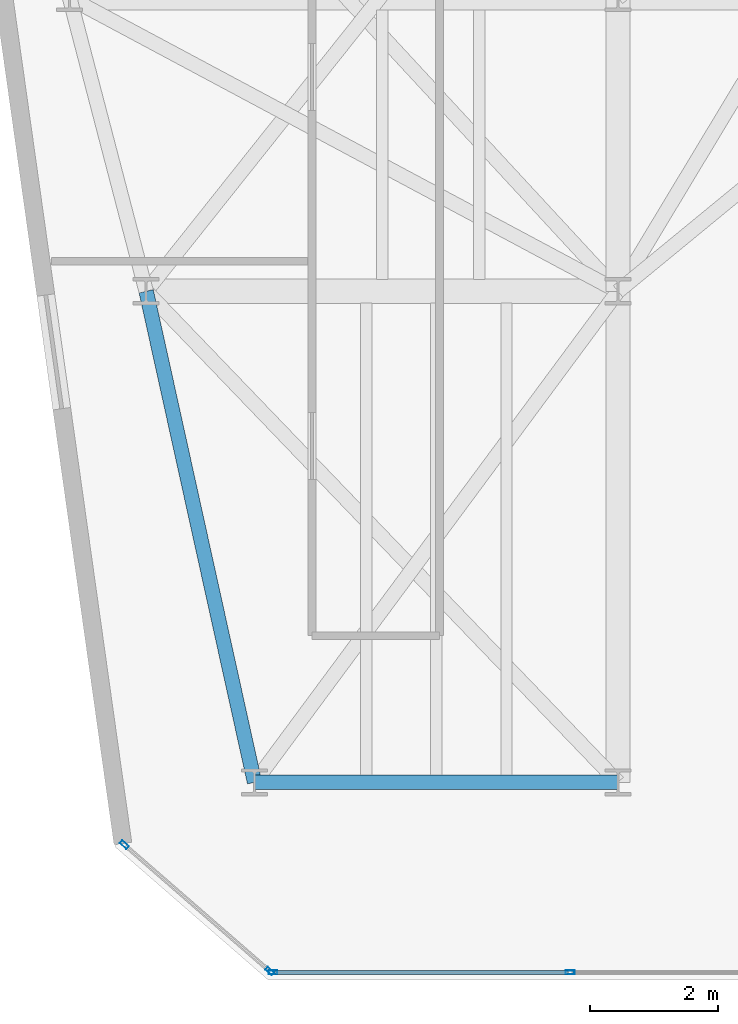
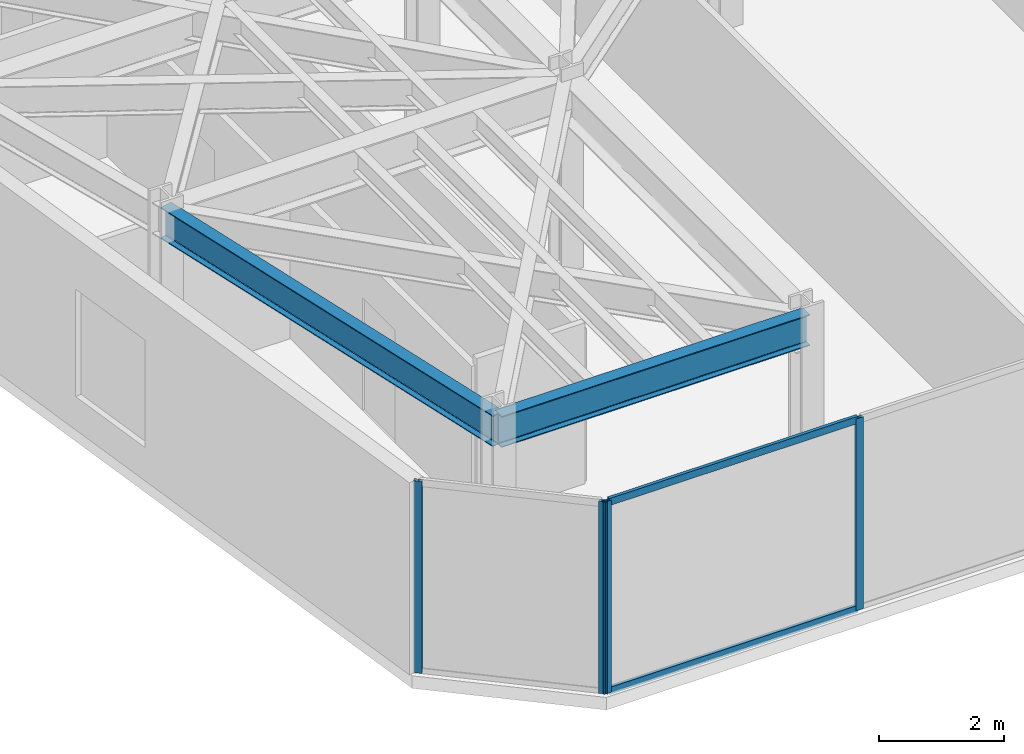
# One storey, part 2 of 21: 6 members, 2 beams, 2 elements without a shape of their own.
"""IFC4 building model written with IfcOpenShell, lengths in metres."""

import ifcopenshell
import ifcopenshell.guid

model = None  # the IFC model being written
_history = None  # IfcOwnerHistory: only IFC2X3 demands one
_inside = {}  # id of a spatial element -> (the spatial element, [elements in it])
_under = {}  # id of a project, library or spatial element -> (it, [spatial elements below it])
_declared = {}  # id of a project -> (the project, [libraries it declares])
_typed = {}  # id of a type object -> (the type object, [elements of that type])
_made_of = {}  # id of a material, layer set ... -> (it, [elements and type objects made of it])


def new_model(schema):
    """Start an empty IFC model of exactly this schema.

    Asked for "IFC4X3", IfcOpenShell would pick the latest addendum, in which some entities
    have other attributes; the version numbers below select the first issue.
    IFC2X3 requires an IfcOwnerHistory on every rooted entity: one is made here for all.
    """
    global model, _history
    if schema == "IFC4X3":
        model = ifcopenshell.file(schema_version=(4, 3, 0, 0))
    else:
        model = ifcopenshell.file(schema=schema)
    _inside.clear()
    _under.clear()
    _declared.clear()
    _typed.clear()
    _made_of.clear()
    _history = None
    if model.schema == "IFC2X3":
        org = make("IfcOrganization", Name="unknown")
        user = make(
            "IfcPersonAndOrganization",
            ThePerson=make("IfcPerson", FamilyName="unknown"),
            TheOrganization=org,
        )
        app = make(
            "IfcApplication",
            ApplicationDeveloper=org,
            Version="unknown",
            ApplicationFullName="unknown",
            ApplicationIdentifier="unknown",
        )
        _history = make(
            "IfcOwnerHistory",
            OwningUser=user,
            OwningApplication=app,
            ChangeAction="ADDED",
            CreationDate=0,
        )
    return model


def make(cls, **values):
    """One entity of the class cls with the attributes given. An attribute that is None is left unset."""
    return model.create_entity(
        cls, **{name: value for name, value in values.items() if value is not None}
    )


def rooted(cls, **values):
    """An entity with a GlobalId (a new one), such as an element, a storey or a relation."""
    return make(cls, GlobalId=ifcopenshell.guid.new(), OwnerHistory=_history, **values)


def si_unit(unit_type, name, prefix=None):
    """IfcSIUnit, for example si_unit("LENGTHUNIT", "METRE", prefix="MILLI")."""
    return make("IfcSIUnit", UnitType=unit_type, Prefix=prefix, Name=name)


def assignment(units):
    """IfcUnitAssignment: the units of a project."""
    return None if units is None else make("IfcUnitAssignment", Units=units)


def point(xyz):
    """IfcCartesianPoint."""
    return None if xyz is None else make("IfcCartesianPoint", Coordinates=xyz)


def direction(xyz):
    """IfcDirection."""
    return None if xyz is None else make("IfcDirection", DirectionRatios=xyz)


def frame(location, z_axis=None, x_axis=None):
    """IfcAxis2Placement3D, a coordinate frame: its origin and axes. An axis left out is left unset."""
    return make(
        "IfcAxis2Placement3D",
        Location=point(location),
        Axis=direction(z_axis),
        RefDirection=direction(x_axis),
    )


def frame_2d(location, x_axis=None):
    """IfcAxis2Placement2D, a coordinate frame in the plane: its origin and x axis."""
    return make(
        "IfcAxis2Placement2D", Location=point(location), RefDirection=direction(x_axis)
    )


def origin():
    """The frame at (0, 0, 0) with its axes left unset."""
    return frame((0.0, 0.0, 0.0))


def origin_2d():
    """The frame at (0, 0) in the plane with its x axis left unset."""
    return frame_2d((0.0, 0.0))


def place(relative_to, where):
    """IfcLocalPlacement: puts the frame where relative to a parent placement (None: the world)."""
    return make(
        "IfcLocalPlacement", PlacementRelTo=relative_to, RelativePlacement=where
    )


def context(
    kind, dimensions, precision=None, world=None, true_north=None, identifier=None
):
    """IfcGeometricRepresentationContext, for example the 3D "Model" context."""
    return make(
        "IfcGeometricRepresentationContext",
        ContextIdentifier=identifier,
        ContextType=kind,
        CoordinateSpaceDimension=dimensions,
        Precision=precision,
        WorldCoordinateSystem=world,
        TrueNorth=true_north,
    )


def subcontext(parent, identifier, kind, view, scale=None):
    """IfcGeometricRepresentationSubContext, for example "Body" below "Model"."""
    return make(
        "IfcGeometricRepresentationSubContext",
        ContextIdentifier=identifier,
        ContextType=kind,
        ParentContext=parent,
        TargetScale=scale,
        TargetView=view,
    )


def project(units=None, contexts=None):
    """IfcProject with its units and contexts."""
    return rooted(
        "IfcProject",
        Name="project",
        RepresentationContexts=contexts,
        UnitsInContext=assignment(units),
    )


def spatial(cls, under=None, at=None, **own):
    """A site, building, storey or space (cls), placed at a placement, below another one or the project."""
    s = rooted(cls, ObjectPlacement=at, **own)
    if under is not None:
        _under.setdefault(under.id(), (under, []))[1].append(s)
    return s


def profile(cls, at=None, kind="AREA", **sizes):
    """A parametric profile (cls). Its sizes go by their IFC names, for example OverallWidth=200.0."""
    return make(cls, ProfileType=kind, Position=at, **sizes)


def hollow_rectangle(**sizes):
    """IfcRectangleHollowProfileDef."""
    return profile("IfcRectangleHollowProfileDef", **sizes)


def i_section(**sizes):
    """IfcIShapeProfileDef."""
    return profile("IfcIShapeProfileDef", **sizes)


def extrude(swept, where, along, depth):
    """IfcExtrudedAreaSolid: the profile swept, set in the frame where, extruded along a direction by depth."""
    return make(
        "IfcExtrudedAreaSolid",
        SweptArea=swept,
        Position=where,
        ExtrudedDirection=direction(along),
        Depth=depth,
    )


def shape(context_of_items, identifier, shape_type, items):
    """IfcShapeRepresentation: the items that make up one representation, for example the "Body"."""
    return make(
        "IfcShapeRepresentation",
        ContextOfItems=context_of_items,
        RepresentationIdentifier=identifier,
        RepresentationType=shape_type,
        Items=items,
    )


def material(Name=None, Category=None):
    """IfcMaterial."""
    return make("IfcMaterial", Name=Name, Category=Category)


def layer(
    of_material, thickness, ventilated=None, Name=None, Category=None, Priority=None
):
    """IfcMaterialLayer: one layer of a wall or slab, of a material (None: an air gap)."""
    return make(
        "IfcMaterialLayer",
        Material=of_material,
        LayerThickness=thickness,
        IsVentilated=ventilated,
        Name=Name,
        Category=Category,
        Priority=Priority,
    )


def layer_set(layers, Name=None):
    """IfcMaterialLayerSet."""
    return make("IfcMaterialLayerSet", MaterialLayers=layers, LayerSetName=Name)


def material_profile(
    of_material, cross_section, Name=None, Category=None, Priority=None
):
    """IfcMaterialProfile: a cross section and its material."""
    return make(
        "IfcMaterialProfile",
        Name=Name,
        Material=of_material,
        Profile=cross_section,
        Priority=Priority,
        Category=Category,
    )


def profile_set(profiles, Name=None, composite=None):
    """IfcMaterialProfileSet."""
    return make(
        "IfcMaterialProfileSet",
        Name=Name,
        MaterialProfiles=profiles,
        CompositeProfile=composite,
    )


def made_of(thing, what):
    """Note that an element or type object is made of a material, layer set ...; save() writes the relation."""
    if what is not None:
        _made_of.setdefault(what.id(), (what, []))[1].append(thing)
    return thing


def type_object(cls, material=None, **own):
    """A type object (cls), such as IfcWallType, which elements share."""
    return made_of(rooted(cls, **own), material)


def element(
    cls,
    number,
    at=None,
    inside=None,
    cuts=None,
    type_object=None,
    material=None,
    context=None,
    identifier="Body",
    shape_type=None,
    held_by="IfcProductDefinitionShape",
    body=None,
    shapes=None,
    **own,
):
    """One element of the class cls, such as IfcWall. Its Tag is "e" and its number.

    at: its placement. inside: the storey or other place that contains it. cuts: it is an
    opening in that element (IfcRelVoidsElement). A single representation is given by context,
    identifier, shape_type and body (its items); several are given by shapes. held_by: the class
    of the entity that holds the representations. save() writes the other relations.
    """
    e = rooted(cls, Tag="e%d" % number, ObjectPlacement=at, **own)
    if body is not None:
        shapes = [shape(context, identifier, shape_type, body)]
    if shapes is not None:
        e.Representation = make(held_by, Representations=shapes)
    if inside is not None:
        _inside.setdefault(inside.id(), (inside, []))[1].append(e)
    if cuts is not None:
        rooted(
            "IfcRelVoidsElement", RelatingBuildingElement=cuts, RelatedOpeningElement=e
        )
    if type_object is not None:
        _typed.setdefault(type_object.id(), (type_object, []))[1].append(e)
    return made_of(e, material)


def aggregate(whole, parts):
    """IfcRelAggregates: a whole, such as a stair, and the parts it consists of."""
    return rooted("IfcRelAggregates", RelatingObject=whole, RelatedObjects=parts)


def save(model, path):
    """Write the relations noted so far, then the file.

    IfcRelAggregates (storeys below a building ...), IfcRelContainedInSpatialStructure (elements
    in a storey), IfcRelDefinesByType, IfcRelAssociatesMaterial and IfcRelDeclares: one each for
    every whole, place, type object, material and project.
    """
    for whole, parts in _under.values():
        aggregate(whole, parts)
    for where, things in _inside.values():
        rooted(
            "IfcRelContainedInSpatialStructure",
            RelatedElements=things,
            RelatingStructure=where,
        )
    for kind, things in _typed.values():
        rooted("IfcRelDefinesByType", RelatedObjects=things, RelatingType=kind)
    for what, things in _made_of.values():
        rooted("IfcRelAssociatesMaterial", RelatedObjects=things, RelatingMaterial=what)
    for by, libraries in _declared.values():
        rooted("IfcRelDeclares", RelatingContext=by, RelatedDefinitions=libraries)
    model.write(path)


model = new_model("IFC4")

# Units and contexts
model_context = context("Model", 3, precision=1e-05, world=origin(), true_north=direction((0.0, 1.0)))
body_context = subcontext(model_context, "Body", "Model", "MODEL_VIEW")
ifc_project = project(units=[si_unit("LENGTHUNIT", "METRE"), si_unit("AREAUNIT", "SQUARE_METRE"), si_unit("VOLUMEUNIT", "CUBIC_METRE"), si_unit("PLANEANGLEUNIT", "RADIAN"), si_unit("MASSUNIT", "GRAM", prefix="KILO")], contexts=[model_context])

# Site, building, storey
site_placement = place(None, origin())
site = spatial("IfcSite", under=ifc_project, at=site_placement, CompositionType="ELEMENT")
building_placement = place(site_placement, origin())
building = spatial("IfcBuilding", under=site, at=building_placement, Name="Kravanh Interchange Tower", CompositionType="ELEMENT")
storey_placement = place(building_placement, frame((0.0, 0.0, 192.5)))
storey = spatial("IfcBuildingStorey", under=building, at=storey_placement, Name="L46", CompositionType="ELEMENT", Elevation=192.5)

# Curtain wall, members
ifc_material_1 = material(Name="Anodised Bronze Aluminium", Category="aluminium")
ifc_layer = layer(ifc_material_1, 0.179931640625)
ifc_layer_set = layer_set([ifc_layer], Name="Unitised Curtain Wall System CW-Z3 Upper Office")
curtain_wall_type = type_object("IfcCurtainWallType", Name="Unitised Curtain Wall System CW-Z3 Upper Office", PredefinedType="NOTDEFINED", material=ifc_layer_set)
curtain_wall_1_placement = place(storey_placement, origin())
curtain_wall_1 = element("IfcCurtainWall", 1, at=curtain_wall_1_placement, inside=storey, type_object=curtain_wall_type, Name="L46 Unitised Curtain Wall CW-L46-05", PredefinedType="NOTDEFINED")
ifc_material_2 = material(Name="Anodised Bronze Aluminium", Category="aluminium")
ifc_material_profile_1 = material_profile(ifc_material_2, hollow_rectangle(XDim=0.06005859375, YDim=0.139892578125, WallThickness=0.00390625, at=origin_2d()), Name="ALU60X140X4")
ifc_profile_set_1 = profile_set([ifc_material_profile_1], Name="Anodised Bronze Aluminium")
member_type_1 = type_object("IfcMemberType", Name="Curtain Wall Mullion ALU60X140X4 Bronze", PredefinedType="MULLION", material=ifc_profile_set_1)
member_1_placement = place(storey_placement, frame((26.447998046875, 11.52001953125, 0.0), z_axis=(0.0, 0.0, 1.0), x_axis=(0.0, -1.0, 0.0)))
member_1 = element("IfcMember", 2, at=member_1_placement, type_object=member_type_1, Name="CW-Z3 mullion 2", PredefinedType="MULLION", context=body_context, shape_type="SweptSolid", body=[
    extrude(hollow_rectangle(XDim=0.06005859375, YDim=0.139892578125, WallThickness=0.00390625, at=origin_2d()), origin(), (0.0, 0.0, 1.0), 3.7548828125),
])
member_2_placement = place(storey_placement, frame((21.7890625, 11.52001953125, 0.0), z_axis=(0.0, 0.0, 1.0), x_axis=(0.0, -1.0, 0.0)))
member_2 = element("IfcMember", 3, at=member_2_placement, type_object=member_type_1, Name="CW-Z3 mullion 3", PredefinedType="MULLION", context=body_context, shape_type="SweptSolid", body=[
    extrude(hollow_rectangle(XDim=0.06005859375, YDim=0.139892578125, WallThickness=0.00390625, at=origin_2d()), origin(), (0.0, 0.0, 1.0), 3.7548828125),
])

curtain_wall_2_placement = place(storey_placement, origin())
curtain_wall_2 = element("IfcCurtainWall", 4, at=curtain_wall_2_placement, inside=storey, type_object=curtain_wall_type, Name="L46 Unitised Curtain Wall CW-L46-06", PredefinedType="NOTDEFINED")
member_3_placement = place(storey_placement, frame((21.736328125, 11.539794921875, 0.0), z_axis=(0.0, 0.0, 1.0), x_axis=(-0.65605090137, -0.754716645379, 0.0)))
member_3 = element("IfcMember", 5, at=member_3_placement, type_object=member_type_1, Name="CW-Z3 mullion 1", PredefinedType="MULLION", context=body_context, shape_type="SweptSolid", body=[
    extrude(hollow_rectangle(XDim=0.06005859375, YDim=0.139892578125, WallThickness=0.00390625, at=origin_2d()), origin(), (0.0, 0.0, 1.0), 3.7548828125),
])
member_4_placement = place(storey_placement, frame((19.45703125, 13.52099609375, 0.0), z_axis=(0.0, 0.0, 1.0), x_axis=(-0.65605090137, -0.754716645379, 0.0)))
member_4 = element("IfcMember", 6, at=member_4_placement, type_object=member_type_1, Name="CW-Z3 mullion 2", PredefinedType="MULLION", context=body_context, shape_type="SweptSolid", body=[
    extrude(hollow_rectangle(XDim=0.06005859375, YDim=0.139892578125, WallThickness=0.00390625, at=origin_2d()), origin(), (0.0, 0.0, 1.0), 3.7548828125),
])
aggregate(curtain_wall_2, [member_3, member_4])

# Member
ifc_material_3 = material(Name="Anodised Bronze Aluminium", Category="aluminium")
ifc_material_profile_2 = material_profile(ifc_material_3, hollow_rectangle(XDim=0.06005859375, YDim=0.139892578125, WallThickness=0.00390625, at=origin_2d()), Name="ALU60X140X4")
ifc_profile_set_2 = profile_set([ifc_material_profile_2], Name="Anodised Bronze Aluminium")
member_type_2 = type_object("IfcMemberType", Name="Curtain Wall Transom ALU60X140X4 Bronze", PredefinedType="USERDEFINED", material=ifc_profile_set_2)
member_5_placement = place(storey_placement, frame((26.41796875, 11.52001953125, 0.030029296875), z_axis=(-1.0, 0.0, 0.0), x_axis=(0.0, -1.0, 0.0)))
member_5 = element("IfcMember", 7, at=member_5_placement, type_object=member_type_2, Name="CW-Z3 transom 2.1", ObjectType="TRANSOM", PredefinedType="USERDEFINED", context=body_context, shape_type="SweptSolid", body=[
    extrude(hollow_rectangle(XDim=0.06005859375, YDim=0.139892578125, WallThickness=0.00390625, at=origin_2d()), origin(), (0.0, 0.0, 1.0), 4.598876953125),
])

member_6_placement = place(storey_placement, frame((26.41796875, 11.52001953125, 3.72509765625), z_axis=(-1.0, 0.0, 0.0), x_axis=(0.0, -1.0, 0.0)))
member_6 = element("IfcMember", 8, at=member_6_placement, type_object=member_type_2, Name="CW-Z3 transom 2.2", ObjectType="TRANSOM", PredefinedType="USERDEFINED", context=body_context, shape_type="SweptSolid", body=[
    extrude(hollow_rectangle(XDim=0.06005859375, YDim=0.139892578125, WallThickness=0.00390625, at=origin_2d()), origin(), (0.0, 0.0, 1.0), 4.598876953125),
])

aggregate(curtain_wall_1, [member_1, member_2, member_5, member_6])

# Beams
ifc_material_4 = material(Name="Structural Steel S355", Category="steel")
ifc_material_profile_3 = material_profile(ifc_material_4, i_section(OverallWidth=0.22802734375, OverallDepth=0.60791015625, WebThickness=0.01123046875, FlangeThickness=0.017333984375, FilletRadius=0.02197265625, at=origin_2d()), Name="W24X76")
ifc_profile_set_3 = profile_set([ifc_material_profile_3], Name="Structural Steel S355")
beam_type = type_object("IfcBeamType", Name="Floor Spandrel W24X76 Structural Steel S355", PredefinedType="SPANDREL", material=ifc_profile_set_3)
beam_1_placement = place(storey_placement, frame((21.5, 14.5, 3.450927734375), z_axis=(1.0, 0.0, 0.0), x_axis=(0.0, 1.0, 0.0)))
element("IfcBeam", 9, at=beam_1_placement, inside=storey, type_object=beam_type, Name="L46 Perimeter Spandrel 30", PredefinedType="SPANDREL", context=body_context, shape_type="SweptSolid", body=[
    extrude(i_section(OverallWidth=0.22802734375, OverallDepth=0.60791015625, WebThickness=0.01123046875, FlangeThickness=0.017333984375, FilletRadius=0.02197265625, at=origin_2d()), origin(), (0.0, 0.0, 1.0), 5.699951171875),
])
beam_2_placement = place(storey_placement, frame((21.5, 14.5, 3.450927734375), z_axis=(-0.215582892261, 0.976485543449, 0.0), x_axis=(-0.976485543449, -0.215582892261, 0.0)))
element("IfcBeam", 10, at=beam_2_placement, inside=storey, type_object=beam_type, Name="L46 Perimeter Spandrel 31", PredefinedType="SPANDREL", context=body_context, shape_type="SweptSolid", body=[
    extrude(i_section(OverallWidth=0.22802734375, OverallDepth=0.60791015625, WebThickness=0.01123046875, FlangeThickness=0.017333984375, FilletRadius=0.02197265625, at=origin_2d()), origin(), (0.0, 0.0, 1.0), 7.88525390625),
])

save(model, "model.ifc")
